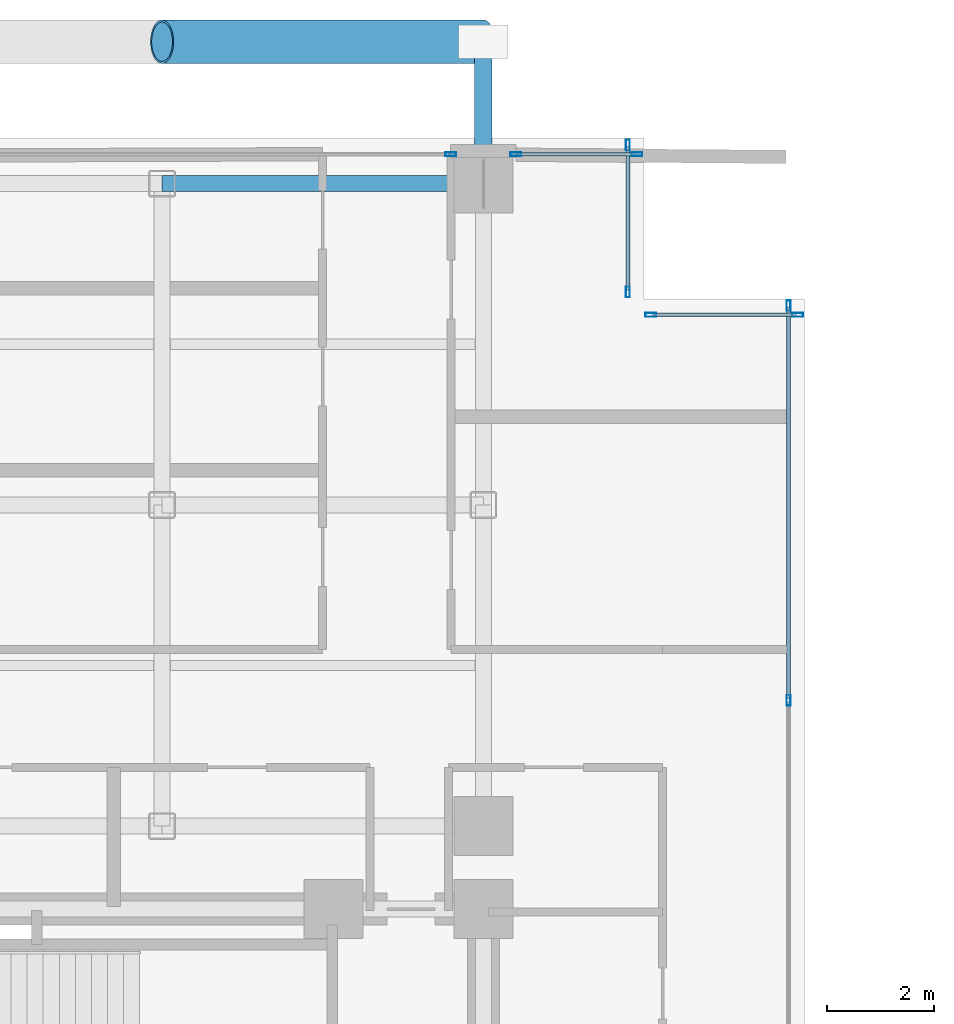
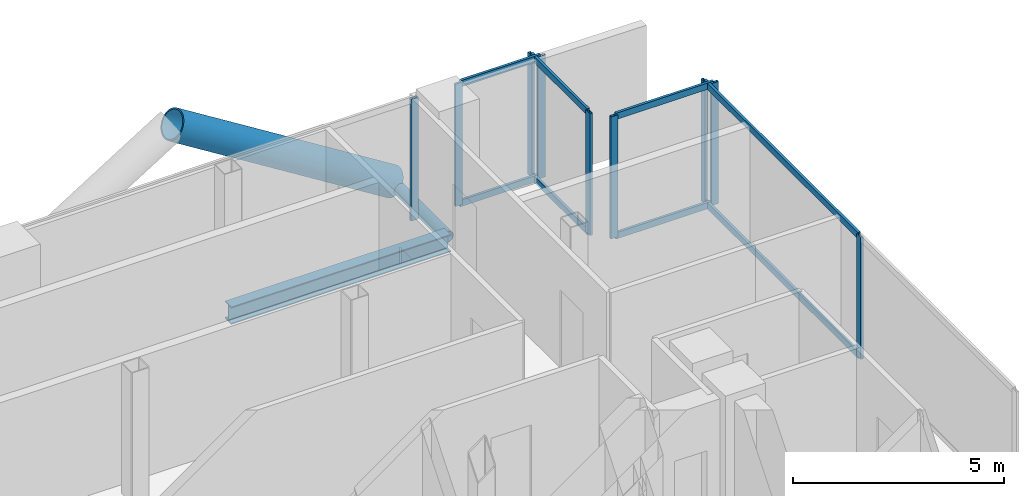
# One storey, part 17 of 28: 19 members, 1 beam, 5 elements without a shape of their own.
"""IFC4 building model written with IfcOpenShell, lengths in metres."""

from ifc_helpers import new_model, si_unit, direction, frame, origin, origin_2d, place, context, subcontext, project, spatial, hollow_rectangle, hollow_circle, i_section, extrude, material, layer, layer_set, material_profile, profile_set, type_object, element, aggregate, save


model = new_model("IFC4")

# Units and contexts
model_context = context("Model", 3, precision=1e-05, world=origin(), true_north=direction((0.0, 1.0)))
body_context = subcontext(model_context, "Body", "Model", "MODEL_VIEW")
ifc_project = project(units=[si_unit("LENGTHUNIT", "METRE"), si_unit("AREAUNIT", "SQUARE_METRE"), si_unit("VOLUMEUNIT", "CUBIC_METRE"), si_unit("PLANEANGLEUNIT", "RADIAN"), si_unit("MASSUNIT", "GRAM", prefix="KILO"), si_unit("THERMODYNAMICTEMPERATUREUNIT", "KELVIN"), si_unit("POWERUNIT", "WATT")], contexts=[model_context])

# Site, building, storey
site_placement = place(None, origin())
site = spatial("IfcSite", under=ifc_project, at=site_placement, CompositionType="ELEMENT")
building_placement = place(site_placement, origin())
building = spatial("IfcBuilding", under=site, at=building_placement, Name="Svarakhadi Broadcast Tower", CompositionType="ELEMENT")
storey_placement = place(building_placement, frame((0.0, 0.0, 134.39990234375)))
storey = spatial("IfcBuildingStorey", under=building, at=storey_placement, Name="L32", CompositionType="ELEMENT", Elevation=134.39990234375)

# Curtain wall, member
ifc_material_1 = material(Name="Anodised Bronze Aluminium AA 6063-T6", Category="aluminium")
ifc_layer = layer(ifc_material_1, 0.199951171875)
ifc_layer_set = layer_set([ifc_layer], Name="Anodised Bronze Aluminium AA 6063-T6")
curtain_wall_type = type_object("IfcCurtainWallType", Name="CW_Sys_03", PredefinedType="NOTDEFINED", material=ifc_layer_set)
curtain_wall_1_placement = place(storey_placement, origin())
curtain_wall_1 = element("IfcCurtainWall", 1, at=curtain_wall_1_placement, inside=storey, type_object=curtain_wall_type, Name="L32 Unitised Facade Curtain Wall 06 Bay 2", PredefinedType="NOTDEFINED")
ifc_material_profile_1 = material_profile(ifc_material_1, hollow_rectangle(XDim=0.074951171875, YDim=0.199951171875, WallThickness=0.005615234375, at=origin_2d()), Name="ALU MULLION 200x75x6")
ifc_profile_set_1 = profile_set([ifc_material_profile_1], Name="Anodised Bronze Aluminium AA 6063-T6")
member_type_1 = type_object("IfcMemberType", Name="CW_Sys_03_Mul", PredefinedType="MULLION", material=ifc_profile_set_1)
member_1_placement = place(storey_placement, frame((17.392578125, 41.699951171875, 0.0), z_axis=(0.0, 0.0, 1.0), x_axis=(0.0, 1.0, 0.0)))
member_1 = element("IfcMember", 2, at=member_1_placement, type_object=member_type_1, Name="CW-03 mullion 2", PredefinedType="MULLION", context=body_context, shape_type="SweptSolid", body=[
    extrude(hollow_rectangle(XDim=0.074951171875, YDim=0.199951171875, WallThickness=0.005615234375, at=origin_2d()), origin(), (0.0, 0.0, 1.0), 3.525146484375),
])
aggregate(curtain_wall_1, [member_1])

# Curtain wall, members
curtain_wall_2_placement = place(storey_placement, origin())
curtain_wall_2 = element("IfcCurtainWall", 3, at=curtain_wall_2_placement, inside=storey, type_object=curtain_wall_type, Name="L32 Unitised Facade Curtain Wall 06 Bay 3", PredefinedType="NOTDEFINED")
member_2_placement = place(storey_placement, frame((18.607421875, 41.699951171875, 0.0), z_axis=(0.0, 0.0, 1.0), x_axis=(0.0, 1.0, 0.0)))
member_2 = element("IfcMember", 4, at=member_2_placement, type_object=member_type_1, Name="CW-03 mullion 1", PredefinedType="MULLION", context=body_context, shape_type="SweptSolid", body=[
    extrude(hollow_rectangle(XDim=0.074951171875, YDim=0.199951171875, WallThickness=0.005615234375, at=origin_2d()), origin(), (0.0, 0.0, 1.0), 3.525146484375),
])
member_3_placement = place(storey_placement, frame((20.87255859375, 41.699951171875, 0.0), z_axis=(0.0, 0.0, 1.0), x_axis=(0.0, 1.0, 0.0)))
member_3 = element("IfcMember", 5, at=member_3_placement, type_object=member_type_1, Name="CW-03 mullion 2", PredefinedType="MULLION", context=body_context, shape_type="SweptSolid", body=[
    extrude(hollow_rectangle(XDim=0.074951171875, YDim=0.199951171875, WallThickness=0.005615234375, at=origin_2d()), origin(), (0.0, 0.0, 1.0), 3.525146484375),
])

curtain_wall_3_placement = place(storey_placement, origin())
curtain_wall_3 = element("IfcCurtainWall", 6, at=curtain_wall_3_placement, inside=storey, type_object=curtain_wall_type, Name="L32 Unitised Facade Curtain Wall 07", PredefinedType="NOTDEFINED")
member_4_placement = place(storey_placement, frame((20.699951171875, 41.87255859375, 0.0), z_axis=(0.0, 0.0, 1.0), x_axis=(1.0, 0.0, 0.0)))
member_4 = element("IfcMember", 7, at=member_4_placement, type_object=member_type_1, Name="CW-03 mullion 1", PredefinedType="MULLION", context=body_context, shape_type="SweptSolid", body=[
    extrude(hollow_rectangle(XDim=0.074951171875, YDim=0.199951171875, WallThickness=0.005615234375, at=origin_2d()), origin(), (0.0, 0.0, 1.0), 3.525146484375),
])
member_5_placement = place(storey_placement, frame((20.699951171875, 39.12744140625, 0.0), z_axis=(0.0, 0.0, 1.0), x_axis=(1.0, 0.0, 0.0)))
member_5 = element("IfcMember", 8, at=member_5_placement, type_object=member_type_1, Name="CW-03 mullion 2", PredefinedType="MULLION", context=body_context, shape_type="SweptSolid", body=[
    extrude(hollow_rectangle(XDim=0.074951171875, YDim=0.199951171875, WallThickness=0.005615234375, at=origin_2d()), origin(), (0.0, 0.0, 1.0), 3.525146484375),
])

curtain_wall_4_placement = place(storey_placement, origin())
curtain_wall_4 = element("IfcCurtainWall", 9, at=curtain_wall_4_placement, inside=storey, type_object=curtain_wall_type, Name="L32 Unitised Facade Curtain Wall 08", PredefinedType="NOTDEFINED")
member_6_placement = place(storey_placement, frame((21.12744140625, 38.699951171875, 0.0), z_axis=(0.0, 0.0, 1.0), x_axis=(0.0, 1.0, 0.0)))
member_6 = element("IfcMember", 10, at=member_6_placement, type_object=member_type_1, Name="CW-03 mullion 1", PredefinedType="MULLION", context=body_context, shape_type="SweptSolid", body=[
    extrude(hollow_rectangle(XDim=0.074951171875, YDim=0.199951171875, WallThickness=0.005615234375, at=origin_2d()), origin(), (0.0, 0.0, 1.0), 3.525146484375),
])
member_7_placement = place(storey_placement, frame((23.87255859375, 38.699951171875, 0.0), z_axis=(0.0, 0.0, 1.0), x_axis=(0.0, 1.0, 0.0)))
member_7 = element("IfcMember", 11, at=member_7_placement, type_object=member_type_1, Name="CW-03 mullion 2", PredefinedType="MULLION", context=body_context, shape_type="SweptSolid", body=[
    extrude(hollow_rectangle(XDim=0.074951171875, YDim=0.199951171875, WallThickness=0.005615234375, at=origin_2d()), origin(), (0.0, 0.0, 1.0), 3.525146484375),
])

curtain_wall_5_placement = place(storey_placement, origin())
curtain_wall_5 = element("IfcCurtainWall", 12, at=curtain_wall_5_placement, inside=storey, type_object=curtain_wall_type, Name="L32 Unitised Facade Curtain Wall 09", PredefinedType="NOTDEFINED")
member_8_placement = place(storey_placement, frame((23.699951171875, 38.87255859375, 0.0), z_axis=(0.0, 0.0, 1.0), x_axis=(1.0, 0.0, 0.0)))
member_8 = element("IfcMember", 13, at=member_8_placement, type_object=member_type_1, Name="CW-03 mullion 1", PredefinedType="MULLION", context=body_context, shape_type="SweptSolid", body=[
    extrude(hollow_rectangle(XDim=0.074951171875, YDim=0.199951171875, WallThickness=0.005615234375, at=origin_2d()), origin(), (0.0, 0.0, 1.0), 3.525146484375),
])
member_9_placement = place(storey_placement, frame((23.699951171875, 31.5, 0.0), z_axis=(0.0, 0.0, 1.0), x_axis=(1.0, 0.0, 0.0)))
member_9 = element("IfcMember", 14, at=member_9_placement, type_object=member_type_1, Name="CW-03 mullion 2", PredefinedType="MULLION", context=body_context, shape_type="SweptSolid", body=[
    extrude(hollow_rectangle(XDim=0.074951171875, YDim=0.199951171875, WallThickness=0.005615234375, at=origin_2d()), origin(), (0.0, 0.0, 1.0), 3.525146484375),
])

# Member
ifc_material_profile_2 = material_profile(ifc_material_1, hollow_rectangle(XDim=0.070068359375, YDim=0.18505859375, WallThickness=0.0048828125, at=origin_2d()), Name="ALU TRANSOM 185x70x5")
ifc_profile_set_2 = profile_set([ifc_material_profile_2], Name="Anodised Bronze Aluminium AA 6063-T6")
member_type_2 = type_object("IfcMemberType", Name="CW_Sys_03_Trn", PredefinedType="USERDEFINED", material=ifc_profile_set_2)
member_10_placement = place(storey_placement, frame((18.64501953125, 41.699951171875, 0.03515625), z_axis=(1.0, 0.0, 0.0), x_axis=(0.0, 1.0, 0.0)))
member_10 = element("IfcMember", 15, at=member_10_placement, type_object=member_type_2, Name="CW-03 transom 1.1", ObjectType="TRANSOM", PredefinedType="USERDEFINED", context=body_context, shape_type="SweptSolid", body=[
    extrude(hollow_rectangle(XDim=0.070068359375, YDim=0.18505859375, WallThickness=0.0048828125, at=origin_2d()), origin(), (0.0, 0.0, 1.0), 2.18994140625),
])

member_11_placement = place(storey_placement, frame((18.64501953125, 41.699951171875, 3.489990234375), z_axis=(1.0, 0.0, 0.0), x_axis=(0.0, 1.0, 0.0)))
member_11 = element("IfcMember", 16, at=member_11_placement, type_object=member_type_2, Name="CW-03 transom 1.2", ObjectType="TRANSOM", PredefinedType="USERDEFINED", context=body_context, shape_type="SweptSolid", body=[
    extrude(hollow_rectangle(XDim=0.070068359375, YDim=0.18505859375, WallThickness=0.0048828125, at=origin_2d()), origin(), (0.0, 0.0, 1.0), 2.18994140625),
])

aggregate(curtain_wall_2, [member_2, member_3, member_10, member_11])

member_12_placement = place(storey_placement, frame((20.699951171875, 41.8349609375, 0.03515625), z_axis=(0.0, -1.0, 0.0), x_axis=(1.0, 0.0, 0.0)))
member_12 = element("IfcMember", 17, at=member_12_placement, type_object=member_type_2, Name="CW-03 transom 1.1", ObjectType="TRANSOM", PredefinedType="USERDEFINED", context=body_context, shape_type="SweptSolid", body=[
    extrude(hollow_rectangle(XDim=0.070068359375, YDim=0.18505859375, WallThickness=0.0048828125, at=origin_2d()), origin(), (0.0, 0.0, 1.0), 2.669921875),
])

member_13_placement = place(storey_placement, frame((20.699951171875, 41.8349609375, 3.489990234375), z_axis=(0.0, -1.0, 0.0), x_axis=(1.0, 0.0, 0.0)))
member_13 = element("IfcMember", 18, at=member_13_placement, type_object=member_type_2, Name="CW-03 transom 1.2", ObjectType="TRANSOM", PredefinedType="USERDEFINED", context=body_context, shape_type="SweptSolid", body=[
    extrude(hollow_rectangle(XDim=0.070068359375, YDim=0.18505859375, WallThickness=0.0048828125, at=origin_2d()), origin(), (0.0, 0.0, 1.0), 2.669921875),
])

aggregate(curtain_wall_3, [member_4, member_5, member_12, member_13])

member_14_placement = place(storey_placement, frame((21.1650390625, 38.699951171875, 0.03515625), z_axis=(1.0, 0.0, 0.0), x_axis=(0.0, 1.0, 0.0)))
member_14 = element("IfcMember", 19, at=member_14_placement, type_object=member_type_2, Name="CW-03 transom 1.1", ObjectType="TRANSOM", PredefinedType="USERDEFINED", context=body_context, shape_type="SweptSolid", body=[
    extrude(hollow_rectangle(XDim=0.070068359375, YDim=0.18505859375, WallThickness=0.0048828125, at=origin_2d()), origin(), (0.0, 0.0, 1.0), 2.669921875),
])

member_15_placement = place(storey_placement, frame((21.1650390625, 38.699951171875, 3.489990234375), z_axis=(1.0, 0.0, 0.0), x_axis=(0.0, 1.0, 0.0)))
member_15 = element("IfcMember", 20, at=member_15_placement, type_object=member_type_2, Name="CW-03 transom 1.2", ObjectType="TRANSOM", PredefinedType="USERDEFINED", context=body_context, shape_type="SweptSolid", body=[
    extrude(hollow_rectangle(XDim=0.070068359375, YDim=0.18505859375, WallThickness=0.0048828125, at=origin_2d()), origin(), (0.0, 0.0, 1.0), 2.669921875),
])

aggregate(curtain_wall_4, [member_6, member_7, member_14, member_15])

member_16_placement = place(storey_placement, frame((23.699951171875, 38.8349609375, 0.03515625), z_axis=(0.0, -1.0, 0.0), x_axis=(1.0, 0.0, 0.0)))
member_16 = element("IfcMember", 21, at=member_16_placement, type_object=member_type_2, Name="CW-03 transom 1.1", ObjectType="TRANSOM", PredefinedType="USERDEFINED", context=body_context, shape_type="SweptSolid", body=[
    extrude(hollow_rectangle(XDim=0.070068359375, YDim=0.18505859375, WallThickness=0.0048828125, at=origin_2d()), origin(), (0.0, 0.0, 1.0), 7.29736328125),
])

member_17_placement = place(storey_placement, frame((23.699951171875, 38.8349609375, 3.489990234375), z_axis=(0.0, -1.0, 0.0), x_axis=(1.0, 0.0, 0.0)))
member_17 = element("IfcMember", 22, at=member_17_placement, type_object=member_type_2, Name="CW-03 transom 1.2", ObjectType="TRANSOM", PredefinedType="USERDEFINED", context=body_context, shape_type="SweptSolid", body=[
    extrude(hollow_rectangle(XDim=0.070068359375, YDim=0.18505859375, WallThickness=0.0048828125, at=origin_2d()), origin(), (0.0, 0.0, 1.0), 7.29736328125),
])

aggregate(curtain_wall_5, [member_8, member_9, member_16, member_17])

# Members
ifc_material_2 = material(Name="Steel S460ML (IS 2062 E450BR)", Category="steel")
ifc_material_profile_3 = material_profile(ifc_material_2, hollow_circle(Radius=0.406494140625, WallThickness=0.0400390625, at=origin_2d()), Name="CHS 813x40")
ifc_profile_set_3 = profile_set([ifc_material_profile_3], Name="Steel S460ML (IS 2062 E450BR)")
member_type_3 = type_object("IfcMemberType", Name="Exo_Brace_CHS813", PredefinedType="BRACE", material=ifc_profile_set_3)
member_18_placement = place(storey_placement, frame((18.0, 43.800048828125, -0.386962890625), z_axis=(-0.847998304005, 0.0, 0.529998940003), x_axis=(0.0, -1.0, 0.0)))
element("IfcMember", 23, at=member_18_placement, inside=storey, type_object=member_type_3, Name="L32 Exposed Bronze Exoskeleton Diagonal N11", PredefinedType="BRACE", context=body_context, shape_type="SweptSolid", body=[
    extrude(hollow_circle(Radius=0.406494140625, WallThickness=0.0400390625, at=origin_2d()), origin(), (0.0, 0.0, 1.0), 7.075439453125),
])
ifc_material_profile_4 = material_profile(ifc_material_2, hollow_circle(Radius=0.161865234375, WallThickness=0.01611328125, at=origin_2d()), Name="CHS 323.9x16")
ifc_profile_set_4 = profile_set([ifc_material_profile_4], Name="Steel S460ML (IS 2062 E450BR)")
member_type_4 = type_object("IfcMemberType", Name="Exo_Radial_Strut_Z2", PredefinedType="STRUT", material=ifc_profile_set_4)
member_19_placement = place(storey_placement, frame((18.0, 43.800048828125, -0.386962890625), z_axis=(0.0, -1.0, 0.0), x_axis=(1.0, 0.0, 0.0)))
element("IfcMember", 24, at=member_19_placement, inside=storey, type_object=member_type_4, Name="L32 Exoskeleton Radial Tie Strut N11", PredefinedType="STRUT", context=body_context, shape_type="SweptSolid", body=[
    extrude(hollow_circle(Radius=0.161865234375, WallThickness=0.01611328125, at=origin_2d()), origin(), (0.0, 0.0, 1.0), 2.650146484375),
])

# Beam
ifc_material_3 = material(Name="Steel S355J2 (IS 2062 E350C)", Category="steel")
ifc_material_profile_5 = material_profile(ifc_material_3, i_section(OverallWidth=0.300048828125, OverallDepth=0.5, WebThickness=0.014404296875, FlangeThickness=0.028076171875, FilletRadius=0.027099609375, at=origin_2d()), Name="WPB 500x300x187")
ifc_profile_set_5 = profile_set([ifc_material_profile_5], Name="Steel S355J2 (IS 2062 E350C)")
beam_type = type_object("IfcBeamType", Name="Girder_WPB500", PredefinedType="USERDEFINED", material=ifc_profile_set_5)
beam_placement = place(storey_placement, frame((12.0, 41.14990234375, -0.474853515625), z_axis=(1.0, 0.0, 0.0), x_axis=(0.0, 1.0, 0.0)))
element("IfcBeam", 25, at=beam_placement, inside=storey, type_object=beam_type, Name="L32 Primary E-W Girder G039", ObjectType="GIRDER", PredefinedType="USERDEFINED", context=body_context, shape_type="SweptSolid", body=[
    extrude(i_section(OverallWidth=0.300048828125, OverallDepth=0.5, WebThickness=0.014404296875, FlangeThickness=0.028076171875, FilletRadius=0.027099609375, at=origin_2d()), origin(), (0.0, 0.0, 1.0), 6.0),
])

save(model, "model.ifc")
